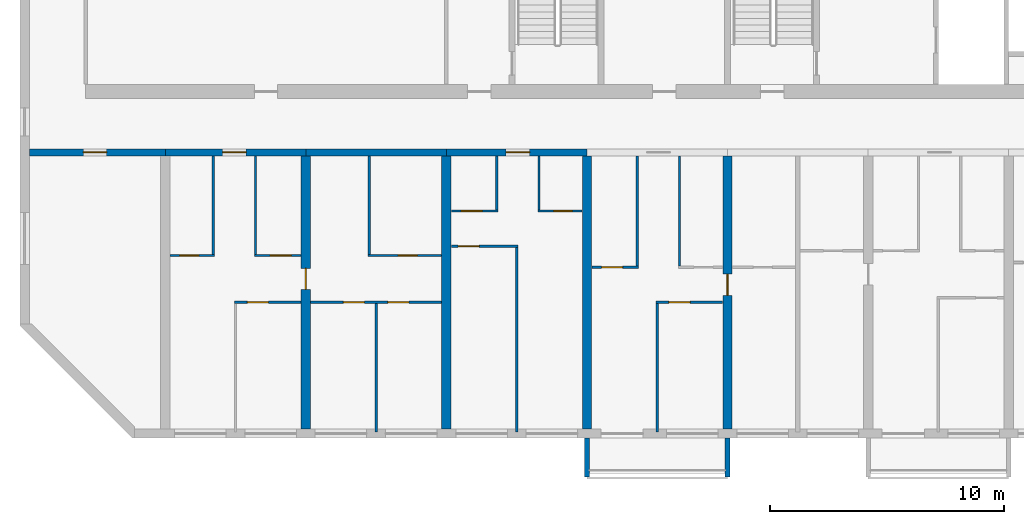
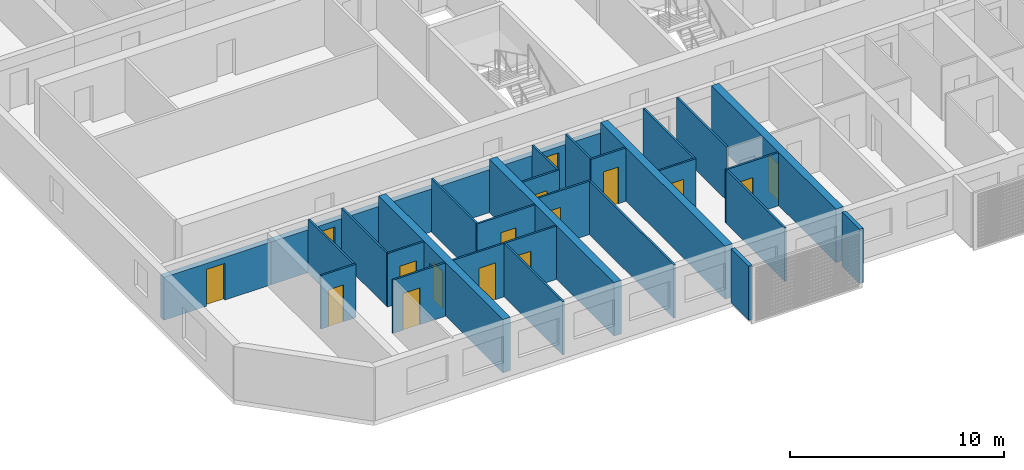
# One storey, part 3 of 44: 30 walls, 16 doors, 16 openings.
"""IFC4 building model written with IfcOpenShell, lengths in metres."""

from ifc_helpers import new_model, si_unit, direction, frame, frame_2d, origin, place, context, subcontext, project, spatial, polyline, rectangle, outline, extrude, source, transform, mapped, material, layer, layer_set, type_object, element, fill, save


model = new_model("IFC4")

# Units and contexts
model_context = context("Model", 3, precision=1e-05, world=origin(), true_north=direction((0.0, 1.0)))
body_context = subcontext(model_context, "Body", "Model", "MODEL_VIEW")
ifc_project = project(units=[si_unit("LENGTHUNIT", "METRE"), si_unit("AREAUNIT", "SQUARE_METRE"), si_unit("VOLUMEUNIT", "CUBIC_METRE"), si_unit("PLANEANGLEUNIT", "RADIAN"), si_unit("MASSUNIT", "GRAM", prefix="KILO")], contexts=[model_context])

# Site, building, storey
site_placement = place(None, origin())
site = spatial("IfcSite", under=ifc_project, at=site_placement, CompositionType="ELEMENT")
building_placement = place(site_placement, origin())
building = spatial("IfcBuilding", under=site, at=building_placement, Name="Poui Terraces", CompositionType="ELEMENT")
storey_placement = place(building_placement, frame((0.0, 0.0, 26.699951171875)))
storey = spatial("IfcBuildingStorey", under=building, at=storey_placement, Name="L06", CompositionType="ELEMENT", Elevation=26.699951171875)

# Wall, opening, door
ifc_material_1 = material(Name="Concrete 80 MPa", Category="concrete")
ifc_layer_1 = layer(ifc_material_1, 0.300048828125)
ifc_layer_set_1 = layer_set([ifc_layer_1], Name="Concrete 80 MPa")
wall_type_1 = type_object("IfcWallType", Name="CORRIDOR WALL 300 80MPa", PredefinedType="SHEAR", material=ifc_layer_set_1)
wall_1_placement = place(storey_placement, frame((0.199951171875, 12.0, 0.0), z_axis=(0.0, 0.0, 1.0), x_axis=(1.0, 0.0, 0.0)))
wall_1 = element("IfcWall", 1, at=wall_1_placement, inside=storey, type_object=wall_type_1, Name="CORRIDOR WALL LINE B BAY 1", PredefinedType="SHEAR", context=body_context, shape_type="SweptSolid", body=[
    extrude(rectangle(XDim=5.800048828125, YDim=0.300048828125, at=frame_2d((2.89990234375, 0.0))), origin(), (0.0, 0.0, 1.0), 2.449951171875),
])
opening_1_placement = place(wall_1_placement, frame((2.300048828125, 0.0, 0.0)))
opening_1 = element("IfcOpeningElement", 2, at=opening_1_placement, cuts=wall_1, Name="Opening D100", PredefinedType="OPENING", context=body_context, shape_type="SweptSolid", body=[
    extrude(rectangle(XDim=1.0, YDim=2.10009765625, at=frame_2d((0.5, 1.050048828125))), frame((0.0, 0.16015625, 0.0), z_axis=(0.0, -1.0, 0.0), x_axis=(1.0, 0.0, 0.0)), (0.0, 0.0, 1.0), 0.320068359375),
])
ifc_material_2 = material(Name="Solid core timber door", Category="wood")
door_type_1 = type_object("IfcDoorType", Name="ACCESSIBLE INTERNAL DOOR 1000 X 2100", OperationType="NOTDEFINED", PredefinedType="DOOR", material=ifc_material_2)
door_1_placement = place(opening_1_placement, frame((1.0, 0.0, 0.0), z_axis=(0.0, 0.0, 1.0), x_axis=(-1.0, 0.0, 0.0)))
door_1 = element("IfcDoor", 3, at=door_1_placement, inside=storey, type_object=door_type_1, Name="ACCESSIBLE INTERNAL DOOR 091", OperationType="SINGLE_SWING_RIGHT", OverallHeight=2.10009765625, OverallWidth=1.0, PredefinedType="DOOR", context=body_context, shape_type="SweptSolid", body=[
    extrude(rectangle(XDim=1.0, YDim=2.10009765625, at=frame_2d((0.5, 1.050048828125))), frame((0.0, 0.02490234375, 0.0), z_axis=(0.0, -1.0, 0.0), x_axis=(1.0, 0.0, 0.0)), (0.0, 0.0, 1.0), 0.050048828125),
])
fill(opening_1, door_1)

wall_2_placement = place(storey_placement, frame((6.0, 12.0, 0.0), z_axis=(0.0, 0.0, 1.0), x_axis=(1.0, 0.0, 0.0)))
wall_2 = element("IfcWall", 4, at=wall_2_placement, inside=storey, type_object=wall_type_1, Name="CORRIDOR WALL LINE B BAY 2", PredefinedType="SHEAR", context=body_context, shape_type="SweptSolid", body=[
    extrude(rectangle(XDim=6.0, YDim=0.300048828125, at=frame_2d((3.0, 0.0))), origin(), (0.0, 0.0, 1.0), 2.449951171875),
])
opening_2_placement = place(wall_2_placement, frame((2.449951171875, 0.0, 0.0)))
opening_2 = element("IfcOpeningElement", 5, at=opening_2_placement, cuts=wall_2, Name="Opening FD30S", PredefinedType="OPENING", context=body_context, shape_type="SweptSolid", body=[
    extrude(rectangle(XDim=1.0, YDim=2.10009765625, at=frame_2d((0.5, 1.050048828125))), frame((0.0, 0.16015625, 0.0), z_axis=(0.0, -1.0, 0.0), x_axis=(1.0, 0.0, 0.0)), (0.0, 0.0, 1.0), 0.320068359375),
])
ifc_material_3 = material(Name="Steel fire door", Category="steel")
door_type_2 = type_object("IfcDoorType", Name="FLAT ENTRANCE DOOR 1000 X 2100", OperationType="NOTDEFINED", PredefinedType="DOOR", material=ifc_material_3)
door_2_placement = place(opening_2_placement, frame((1.0, 0.0, 0.0), z_axis=(0.0, 0.0, 1.0), x_axis=(-1.0, 0.0, 0.0)))
door_2 = element("IfcDoor", 6, at=door_2_placement, inside=storey, type_object=door_type_2, Name="FLAT ENTRANCE DOOR 096", OperationType="SINGLE_SWING_RIGHT", OverallHeight=2.10009765625, OverallWidth=1.0, PredefinedType="DOOR", context=body_context, shape_type="SweptSolid", body=[
    extrude(rectangle(XDim=1.0, YDim=2.10009765625, at=frame_2d((0.5, 1.050048828125))), frame((0.0, 0.02490234375, 0.0), z_axis=(0.0, -1.0, 0.0), x_axis=(1.0, 0.0, 0.0)), (0.0, 0.0, 1.0), 0.050048828125),
])
fill(opening_2, door_2)

# Wall
wall_3_placement = place(storey_placement, frame((12.0, 12.0, 0.0), z_axis=(0.0, 0.0, 1.0), x_axis=(1.0, 0.0, 0.0)))
element("IfcWall", 7, at=wall_3_placement, inside=storey, type_object=wall_type_1, Name="CORRIDOR WALL LINE B BAY 3", PredefinedType="SHEAR", context=body_context, shape_type="SweptSolid", body=[
    extrude(rectangle(XDim=6.0, YDim=0.300048828125, at=frame_2d((3.0, 0.0))), origin(), (0.0, 0.0, 1.0), 2.449951171875),
])

# Wall, opening, door
wall_4_placement = place(storey_placement, frame((18.0, 12.0, 0.0), z_axis=(0.0, 0.0, 1.0), x_axis=(1.0, 0.0, 0.0)))
wall_4 = element("IfcWall", 8, at=wall_4_placement, inside=storey, type_object=wall_type_1, Name="CORRIDOR WALL LINE B BAY 4", PredefinedType="SHEAR", context=body_context, shape_type="SweptSolid", body=[
    extrude(rectangle(XDim=6.0, YDim=0.300048828125, at=frame_2d((3.0, 0.0))), origin(), (0.0, 0.0, 1.0), 2.449951171875),
])
opening_3_placement = place(wall_4_placement, frame((2.550048828125, 0.0, 0.0)))
opening_3 = element("IfcOpeningElement", 9, at=opening_3_placement, cuts=wall_4, Name="Opening FD30S", PredefinedType="OPENING", context=body_context, shape_type="SweptSolid", body=[
    extrude(rectangle(XDim=1.0, YDim=2.10009765625, at=frame_2d((0.5, 1.050048828125))), frame((0.0, 0.16015625, 0.0), z_axis=(0.0, -1.0, 0.0), x_axis=(1.0, 0.0, 0.0)), (0.0, 0.0, 1.0), 0.320068359375),
])
door_3_placement = place(opening_3_placement, frame((1.0, 0.0, 0.0), z_axis=(0.0, 0.0, 1.0), x_axis=(-1.0, 0.0, 0.0)))
door_3 = element("IfcDoor", 10, at=door_3_placement, inside=storey, type_object=door_type_2, Name="FLAT ENTRANCE DOOR 102", OperationType="SINGLE_SWING_LEFT", OverallHeight=2.10009765625, OverallWidth=1.0, PredefinedType="DOOR", context=body_context, shape_type="SweptSolid", body=[
    extrude(rectangle(XDim=1.0, YDim=2.10009765625, at=frame_2d((0.5, 1.050048828125))), frame((0.0, 0.02490234375, 0.0), z_axis=(0.0, -1.0, 0.0), x_axis=(1.0, 0.0, 0.0)), (0.0, 0.0, 1.0), 0.050048828125),
])
fill(opening_3, door_3)

ifc_layer_2 = layer(ifc_material_1, 0.39990234375)
ifc_layer_set_2 = layer_set([ifc_layer_2], Name="Concrete 80 MPa")
wall_type_2 = type_object("IfcWallType", Name="CROSS WALL 400 80MPa", PredefinedType="SHEAR", material=ifc_layer_set_2)
wall_5_placement = place(storey_placement, frame((12.0, 0.199951171875, 0.0), z_axis=(0.0, 0.0, 1.0), x_axis=(0.0, 1.0, 0.0)))
wall_5 = element("IfcWall", 11, at=wall_5_placement, inside=storey, type_object=wall_type_2, Name="CROSS WALL LINE 3 SOUTH", PredefinedType="SHEAR", context=body_context, shape_type="SweptSolid", body=[
    extrude(rectangle(XDim=11.650146484375, YDim=0.39990234375, at=frame_2d((5.8251953125, 0.0))), origin(), (0.0, 0.0, 1.0), 3.050048828125),
])
opening_4_placement = place(wall_5_placement, frame((5.949951171875, 0.0, 0.0)))
opening_4 = element("IfcOpeningElement", 12, at=opening_4_placement, cuts=wall_5, Name="Opening D90", PredefinedType="OPENING", context=body_context, shape_type="SweptSolid", body=[
    extrude(rectangle(XDim=0.89990234375, YDim=2.10009765625, at=frame_2d((0.449951171875, 1.050048828125))), frame((0.0, 0.2099609375, 0.0), z_axis=(0.0, -1.0, 0.0), x_axis=(1.0, 0.0, 0.0)), (0.0, 0.0, 1.0), 0.419921875),
])
door_type_3 = type_object("IfcDoorType", Name="INTERNAL DOOR 900 X 2100", OperationType="NOTDEFINED", PredefinedType="DOOR", material=ifc_material_2)
door_4_placement = place(opening_4_placement, origin())
door_4 = element("IfcDoor", 13, at=door_4_placement, inside=storey, type_object=door_type_3, Name="INTERNAL DOOR 099", OperationType="SINGLE_SWING_RIGHT", OverallHeight=2.10009765625, OverallWidth=0.89990234375, PredefinedType="DOOR", context=body_context, shape_type="SweptSolid", body=[
    extrude(rectangle(XDim=0.89990234375, YDim=2.10009765625, at=frame_2d((0.449951171875, 1.050048828125))), frame((0.0, 0.02490234375, 0.0), z_axis=(0.0, -1.0, 0.0), x_axis=(1.0, 0.0, 0.0)), (0.0, 0.0, 1.0), 0.050048828125),
])
fill(opening_4, door_4)

# Walls
for number, where, z_axis, x_axis, name in (
    (14, (18.0, 0.199951171875, 0.0), (0.0, 0.0, 1.0), (0.0, 1.0, 0.0), "CROSS WALL LINE 4 SOUTH"),
    (15, (24.0, 0.199951171875, 0.0), (0.0, 0.0, 1.0), (0.0, 1.0, 0.0), "CROSS WALL LINE 5 SOUTH"),
):
    element("IfcWall", number, at=place(storey_placement, frame(where, z_axis=z_axis, x_axis=x_axis)), inside=storey, type_object=wall_type_2, Name=name, PredefinedType="SHEAR", context=body_context, shape_type="SweptSolid", body=[
        extrude(rectangle(XDim=11.650146484375, YDim=0.39990234375, at=frame_2d((5.8251953125, 0.0))), origin(), (0.0, 0.0, 1.0), 3.050048828125),
    ])

# Wall, opening, door
wall_6_placement = place(storey_placement, frame((30.0, 0.199951171875, 0.0), z_axis=(0.0, 0.0, 1.0), x_axis=(0.0, 1.0, 0.0)))
wall_6 = element("IfcWall", 16, at=wall_6_placement, inside=storey, type_object=wall_type_2, Name="CROSS WALL LINE 6 SOUTH", PredefinedType="SHEAR", context=body_context, shape_type="SweptSolid", body=[
    extrude(rectangle(XDim=11.650146484375, YDim=0.39990234375, at=frame_2d((5.8251953125, 0.0))), origin(), (0.0, 0.0, 1.0), 3.050048828125),
])
opening_5_placement = place(wall_6_placement, frame((5.699951171875, 0.0, 0.0)))
opening_5 = element("IfcOpeningElement", 17, at=opening_5_placement, cuts=wall_6, Name="Opening D90", PredefinedType="OPENING", context=body_context, shape_type="SweptSolid", body=[
    extrude(rectangle(XDim=0.89990234375, YDim=2.10009765625, at=frame_2d((0.449951171875, 1.050048828125))), frame((0.0, 0.2099609375, 0.0), z_axis=(0.0, -1.0, 0.0), x_axis=(1.0, 0.0, 0.0)), (0.0, 0.0, 1.0), 0.419921875),
])
door_5_placement = place(opening_5_placement, frame((0.89990234375, 0.0, 0.0), z_axis=(0.0, 0.0, 1.0), x_axis=(-1.0, 0.0, 0.0)))
door_5 = element("IfcDoor", 18, at=door_5_placement, inside=storey, type_object=door_type_3, Name="INTERNAL DOOR 109", OperationType="SINGLE_SWING_LEFT", OverallHeight=2.10009765625, OverallWidth=0.89990234375, PredefinedType="DOOR", context=body_context, shape_type="SweptSolid", body=[
    extrude(rectangle(XDim=0.89990234375, YDim=2.10009765625, at=frame_2d((0.449951171875, 1.050048828125))), frame((0.0, 0.02490234375, 0.0), z_axis=(0.0, -1.0, 0.0), x_axis=(1.0, 0.0, 0.0)), (0.0, 0.0, 1.0), 0.050048828125),
])
fill(opening_5, door_5)

ifc_material_4 = material(Name="Plasterboard partition")
ifc_layer_3 = layer(ifc_material_4, 0.10009765625)
ifc_layer_set_3 = layer_set([ifc_layer_3], Name="Plasterboard partition")
wall_type_3 = type_object("IfcWallType", Name="FLAT PARTITION 100", PredefinedType="PARTITIONING", material=ifc_layer_set_3)
wall_7_placement = place(storey_placement, frame((8.949951171875, 5.60009765625, 0.0), z_axis=(0.0, 0.0, 1.0), x_axis=(1.0, 0.0, 0.0)))
wall_7 = element("IfcWall", 19, at=wall_7_placement, inside=storey, type_object=wall_type_3, Name="FLAT PARTITION 100", PredefinedType="PARTITIONING", context=body_context, shape_type="SweptSolid", body=[
    extrude(rectangle(XDim=2.840087890625, YDim=0.10009765625, at=frame_2d((1.419921875, 0.0))), origin(), (0.0, 0.0, 1.0), 3.050048828125),
])
opening_6_placement = place(wall_7_placement, frame((0.550048828125, 0.0, 0.0)))
opening_6 = element("IfcOpeningElement", 20, at=opening_6_placement, cuts=wall_7, Name="Opening D90", PredefinedType="OPENING", context=body_context, shape_type="SweptSolid", body=[
    extrude(rectangle(XDim=0.89990234375, YDim=2.10009765625, at=frame_2d((0.449951171875, 1.050048828125))), frame((0.0, 0.06005859375, 0.0), z_axis=(0.0, -1.0, 0.0), x_axis=(1.0, 0.0, 0.0)), (0.0, 0.0, 1.0), 0.1201171875),
])
door_6_placement = place(opening_6_placement, origin())
door_6 = element("IfcDoor", 21, at=door_6_placement, inside=storey, type_object=door_type_3, Name="INTERNAL DOOR 097", OperationType="SINGLE_SWING_RIGHT", OverallHeight=2.10009765625, OverallWidth=0.89990234375, PredefinedType="DOOR", context=body_context, shape_type="SweptSolid", body=[
    extrude(rectangle(XDim=0.89990234375, YDim=2.10009765625, at=frame_2d((0.449951171875, 1.050048828125))), frame((0.0, 0.02490234375, 0.0), z_axis=(0.0, -1.0, 0.0), x_axis=(1.0, 0.0, 0.0)), (0.0, 0.0, 1.0), 0.050048828125),
])
fill(opening_6, door_6)

# Wall, openings, doors
wall_8_placement = place(storey_placement, frame((12.2099609375, 5.60009765625, 0.0), z_axis=(0.0, 0.0, 1.0), x_axis=(1.0, 0.0, 0.0)))
wall_8 = element("IfcWall", 22, at=wall_8_placement, inside=storey, type_object=wall_type_3, Name="FLAT PARTITION 100", PredefinedType="PARTITIONING", context=body_context, shape_type="SweptSolid", body=[
    extrude(rectangle(XDim=5.580078125, YDim=0.10009765625, at=frame_2d((2.7900390625, 0.0))), origin(), (0.0, 0.0, 1.0), 3.050048828125),
])
opening_7_placement = place(wall_8_placement, frame((1.389892578125, 0.0, 0.0)))
opening_7 = element("IfcOpeningElement", 23, at=opening_7_placement, cuts=wall_8, Name="Opening D90", PredefinedType="OPENING", context=body_context, shape_type="SweptSolid", body=[
    extrude(rectangle(XDim=0.89990234375, YDim=2.10009765625, at=frame_2d((0.449951171875, 1.050048828125))), frame((0.0, 0.06005859375, 0.0), z_axis=(0.0, -1.0, 0.0), x_axis=(1.0, 0.0, 0.0)), (0.0, 0.0, 1.0), 0.1201171875),
])
opening_8_placement = place(wall_8_placement, frame((3.2900390625, 0.0, 0.0)))
opening_8 = element("IfcOpeningElement", 24, at=opening_8_placement, cuts=wall_8, Name="Opening D90", PredefinedType="OPENING", context=body_context, shape_type="SweptSolid", body=[
    extrude(rectangle(XDim=0.89990234375, YDim=2.10009765625, at=frame_2d((0.449951171875, 1.050048828125))), frame((0.0, 0.06005859375, 0.0), z_axis=(0.0, -1.0, 0.0), x_axis=(1.0, 0.0, 0.0)), (0.0, 0.0, 1.0), 0.1201171875),
])
door_7_placement = place(opening_7_placement, frame((0.89990234375, 0.0, 0.0), z_axis=(0.0, 0.0, 1.0), x_axis=(-1.0, 0.0, 0.0)))
door_7 = element("IfcDoor", 25, at=door_7_placement, inside=storey, type_object=door_type_3, Name="INTERNAL DOOR 092", OperationType="SINGLE_SWING_LEFT", OverallHeight=2.10009765625, OverallWidth=0.89990234375, PredefinedType="DOOR", context=body_context, shape_type="SweptSolid", body=[
    extrude(rectangle(XDim=0.89990234375, YDim=2.10009765625, at=frame_2d((0.449951171875, 1.050048828125))), frame((0.0, 0.02490234375, 0.0), z_axis=(0.0, -1.0, 0.0), x_axis=(1.0, 0.0, 0.0)), (0.0, 0.0, 1.0), 0.050048828125),
])
fill(opening_7, door_7)
door_8_placement = place(opening_8_placement, frame((0.89990234375, 0.0, 0.0), z_axis=(0.0, 0.0, 1.0), x_axis=(-1.0, 0.0, 0.0)))
door_8 = element("IfcDoor", 26, at=door_8_placement, inside=storey, type_object=door_type_3, Name="INTERNAL DOOR 093", OperationType="SINGLE_SWING_RIGHT", OverallHeight=2.10009765625, OverallWidth=0.89990234375, PredefinedType="DOOR", context=body_context, shape_type="SweptSolid", body=[
    extrude(rectangle(XDim=0.89990234375, YDim=2.10009765625, at=frame_2d((0.449951171875, 1.050048828125))), frame((0.0, 0.02490234375, 0.0), z_axis=(0.0, -1.0, 0.0), x_axis=(1.0, 0.0, 0.0)), (0.0, 0.0, 1.0), 0.050048828125),
])
fill(opening_8, door_8)

# Wall, opening, door
wall_9_placement = place(storey_placement, frame((26.949951171875, 5.60009765625, 0.0), z_axis=(0.0, 0.0, 1.0), x_axis=(1.0, 0.0, 0.0)))
wall_9 = element("IfcWall", 27, at=wall_9_placement, inside=storey, type_object=wall_type_3, Name="FLAT PARTITION 100", PredefinedType="PARTITIONING", context=body_context, shape_type="SweptSolid", body=[
    extrude(rectangle(XDim=2.840087890625, YDim=0.10009765625, at=frame_2d((1.419921875, 0.0))), origin(), (0.0, 0.0, 1.0), 3.050048828125),
])
opening_9_placement = place(wall_9_placement, frame((0.550048828125, 0.0, 0.0)))
opening_9 = element("IfcOpeningElement", 28, at=opening_9_placement, cuts=wall_9, Name="Opening D90", PredefinedType="OPENING", context=body_context, shape_type="SweptSolid", body=[
    extrude(rectangle(XDim=0.89990234375, YDim=2.10009765625, at=frame_2d((0.449951171875, 1.050048828125))), frame((0.0, 0.06005859375, 0.0), z_axis=(0.0, -1.0, 0.0), x_axis=(1.0, 0.0, 0.0)), (0.0, 0.0, 1.0), 0.1201171875),
])
door_9_placement = place(opening_9_placement, origin())
door_9 = element("IfcDoor", 29, at=door_9_placement, inside=storey, type_object=door_type_3, Name="INTERNAL DOOR 107", OperationType="SINGLE_SWING_RIGHT", OverallHeight=2.10009765625, OverallWidth=0.89990234375, PredefinedType="DOOR", context=body_context, shape_type="SweptSolid", body=[
    extrude(rectangle(XDim=0.89990234375, YDim=2.10009765625, at=frame_2d((0.449951171875, 1.050048828125))), frame((0.0, 0.02490234375, 0.0), z_axis=(0.0, -1.0, 0.0), x_axis=(1.0, 0.0, 0.0)), (0.0, 0.0, 1.0), 0.050048828125),
])
fill(opening_9, door_9)

wall_10_placement = place(storey_placement, frame((24.2099609375, 7.10009765625, 0.0), z_axis=(0.0, 0.0, 1.0), x_axis=(1.0, 0.0, 0.0)))
wall_10 = element("IfcWall", 30, at=wall_10_placement, inside=storey, type_object=wall_type_3, Name="FLAT PARTITION 100", PredefinedType="PARTITIONING", context=body_context, shape_type="SweptSolid", body=[
    extrude(rectangle(XDim=1.989990234375, YDim=0.10009765625, at=frame_2d((0.9951171875, 0.0))), origin(), (0.0, 0.0, 1.0), 3.050048828125),
])
opening_10_placement = place(wall_10_placement, frame((0.4150390625, 0.0, 0.0)))
opening_10 = element("IfcOpeningElement", 31, at=opening_10_placement, cuts=wall_10, Name="Opening D90", PredefinedType="OPENING", context=body_context, shape_type="SweptSolid", body=[
    extrude(rectangle(XDim=0.89990234375, YDim=2.10009765625, at=frame_2d((0.449951171875, 1.050048828125))), frame((0.0, 0.06005859375, 0.0), z_axis=(0.0, -1.0, 0.0), x_axis=(1.0, 0.0, 0.0)), (0.0, 0.0, 1.0), 0.1201171875),
])
door_10_placement = place(opening_10_placement, origin())
door_10 = element("IfcDoor", 32, at=door_10_placement, inside=storey, type_object=door_type_3, Name="INTERNAL DOOR 105", OperationType="SINGLE_SWING_RIGHT", OverallHeight=2.10009765625, OverallWidth=0.89990234375, PredefinedType="DOOR", context=body_context, shape_type="SweptSolid", body=[
    extrude(rectangle(XDim=0.89990234375, YDim=2.10009765625, at=frame_2d((0.449951171875, 1.050048828125))), frame((0.0, 0.02490234375, 0.0), z_axis=(0.0, -1.0, 0.0), x_axis=(1.0, 0.0, 0.0)), (0.0, 0.0, 1.0), 0.050048828125),
])
fill(opening_10, door_10)

wall_11_placement = place(storey_placement, frame((6.2099609375, 7.60009765625, 0.0), z_axis=(0.0, 0.0, 1.0), x_axis=(1.0, 0.0, 0.0)))
wall_11 = element("IfcWall", 33, at=wall_11_placement, inside=storey, type_object=wall_type_3, Name="FLAT PARTITION 100", PredefinedType="PARTITIONING", context=body_context, shape_type="SweptSolid", body=[
    extrude(rectangle(XDim=1.89013671875, YDim=0.10009765625, at=frame_2d((0.945068359375, 0.0))), origin(), (0.0, 0.0, 1.0), 3.050048828125),
])
opening_11_placement = place(wall_11_placement, frame((0.4150390625, 0.0, 0.0)))
opening_11 = element("IfcOpeningElement", 34, at=opening_11_placement, cuts=wall_11, Name="Opening D80", PredefinedType="OPENING", context=body_context, shape_type="SweptSolid", body=[
    extrude(rectangle(XDim=0.800048828125, YDim=2.10009765625, at=frame_2d((0.39990234375, 1.050048828125))), frame((0.0, 0.06005859375, 0.0), z_axis=(0.0, -1.0, 0.0), x_axis=(1.0, 0.0, 0.0)), (0.0, 0.0, 1.0), 0.1201171875),
])
door_type_4 = type_object("IfcDoorType", Name="BATHROOM, LAUNDRY AND STORE DOOR 800 X 2100", OperationType="NOTDEFINED", PredefinedType="DOOR", material=ifc_material_2)
door_11_placement = place(opening_11_placement, origin())
door_11 = element("IfcDoor", 35, at=door_11_placement, inside=storey, type_object=door_type_4, Name="BATHROOM, LAUNDRY AND STORE DOOR 095", OperationType="SINGLE_SWING_RIGHT", OverallHeight=2.10009765625, OverallWidth=0.800048828125, PredefinedType="DOOR", context=body_context, shape_type="SweptSolid", body=[
    extrude(rectangle(XDim=0.800048828125, YDim=2.10009765625, at=frame_2d((0.39990234375, 1.050048828125))), frame((0.0, 0.02490234375, 0.0), z_axis=(0.0, -1.0, 0.0), x_axis=(1.0, 0.0, 0.0)), (0.0, 0.0, 1.0), 0.050048828125),
])
fill(opening_11, door_11)

wall_12_placement = place(storey_placement, frame((9.800048828125, 7.60009765625, 0.0), z_axis=(0.0, 0.0, 1.0), x_axis=(1.0, 0.0, 0.0)))
wall_12 = element("IfcWall", 36, at=wall_12_placement, inside=storey, type_object=wall_type_3, Name="FLAT PARTITION 100", PredefinedType="PARTITIONING", context=body_context, shape_type="SweptSolid", body=[
    extrude(rectangle(XDim=1.989990234375, YDim=0.10009765625, at=frame_2d((0.9951171875, 0.0))), origin(), (0.0, 0.0, 1.0), 3.050048828125),
])
opening_12_placement = place(wall_12_placement, frame((0.675048828125, 0.0, 0.0)))
opening_12 = element("IfcOpeningElement", 37, at=opening_12_placement, cuts=wall_12, Name="Opening D90", PredefinedType="OPENING", context=body_context, shape_type="SweptSolid", body=[
    extrude(rectangle(XDim=0.89990234375, YDim=2.10009765625, at=frame_2d((0.449951171875, 1.050048828125))), frame((0.0, 0.06005859375, 0.0), z_axis=(0.0, -1.0, 0.0), x_axis=(1.0, 0.0, 0.0)), (0.0, 0.0, 1.0), 0.1201171875),
])
door_12_placement = place(opening_12_placement, origin())
door_12 = element("IfcDoor", 38, at=door_12_placement, inside=storey, type_object=door_type_3, Name="INTERNAL DOOR 098", OperationType="SINGLE_SWING_LEFT", OverallHeight=2.10009765625, OverallWidth=0.89990234375, PredefinedType="DOOR", context=body_context, shape_type="SweptSolid", body=[
    extrude(rectangle(XDim=0.89990234375, YDim=2.10009765625, at=frame_2d((0.449951171875, 1.050048828125))), frame((0.0, 0.02490234375, 0.0), z_axis=(0.0, -1.0, 0.0), x_axis=(1.0, 0.0, 0.0)), (0.0, 0.0, 1.0), 0.050048828125),
])
fill(opening_12, door_12)

wall_13_placement = place(storey_placement, frame((14.64990234375, 7.60009765625, 0.0), z_axis=(0.0, 0.0, 1.0), x_axis=(1.0, 0.0, 0.0)))
wall_13 = element("IfcWall", 39, at=wall_13_placement, inside=storey, type_object=wall_type_3, Name="FLAT PARTITION 100", PredefinedType="PARTITIONING", context=body_context, shape_type="SweptSolid", body=[
    extrude(rectangle(XDim=3.14013671875, YDim=0.10009765625, at=frame_2d((1.570068359375, 0.0))), origin(), (0.0, 0.0, 1.0), 3.050048828125),
])
opening_13_placement = place(wall_13_placement, frame((1.300048828125, 0.0, 0.0)))
opening_13 = element("IfcOpeningElement", 40, at=opening_13_placement, cuts=wall_13, Name="Opening D80", PredefinedType="OPENING", context=body_context, shape_type="SweptSolid", body=[
    extrude(rectangle(XDim=0.800048828125, YDim=2.10009765625, at=frame_2d((0.39990234375, 1.050048828125))), frame((0.0, 0.06005859375, 0.0), z_axis=(0.0, -1.0, 0.0), x_axis=(1.0, 0.0, 0.0)), (0.0, 0.0, 1.0), 0.1201171875),
])
door_13_placement = place(opening_13_placement, frame((0.800048828125, 0.0, 0.0), z_axis=(0.0, 0.0, 1.0), x_axis=(-1.0, 0.0, 0.0)))
door_13 = element("IfcDoor", 41, at=door_13_placement, inside=storey, type_object=door_type_4, Name="BATHROOM, LAUNDRY AND STORE DOOR 094", OperationType="SINGLE_SWING_RIGHT", OverallHeight=2.10009765625, OverallWidth=0.800048828125, PredefinedType="DOOR", context=body_context, shape_type="SweptSolid", body=[
    extrude(rectangle(XDim=0.800048828125, YDim=2.10009765625, at=frame_2d((0.39990234375, 1.050048828125))), frame((0.0, 0.02490234375, 0.0), z_axis=(0.0, -1.0, 0.0), x_axis=(1.0, 0.0, 0.0)), (0.0, 0.0, 1.0), 0.050048828125),
])
fill(opening_13, door_13)

wall_14_placement = place(storey_placement, frame((18.2099609375, 8.0, 0.0), z_axis=(0.0, 0.0, 1.0), x_axis=(1.0, 0.0, 0.0)))
wall_14 = element("IfcWall", 42, at=wall_14_placement, inside=storey, type_object=wall_type_3, Name="FLAT PARTITION 100", PredefinedType="PARTITIONING", context=body_context, shape_type="SweptSolid", body=[
    extrude(rectangle(XDim=2.840087890625, YDim=0.10009765625, at=frame_2d((1.419921875, 0.0))), origin(), (0.0, 0.0, 1.0), 3.050048828125),
])
opening_14_placement = place(wall_14_placement, frame((0.2900390625, 0.0, 0.0)))
opening_14 = element("IfcOpeningElement", 43, at=opening_14_placement, cuts=wall_14, Name="Opening D90", PredefinedType="OPENING", context=body_context, shape_type="SweptSolid", body=[
    extrude(rectangle(XDim=0.89990234375, YDim=2.10009765625, at=frame_2d((0.449951171875, 1.050048828125))), frame((0.0, 0.06005859375, 0.0), z_axis=(0.0, -1.0, 0.0), x_axis=(1.0, 0.0, 0.0)), (0.0, 0.0, 1.0), 0.1201171875),
])
door_14_placement = place(opening_14_placement, origin())
door_14 = element("IfcDoor", 44, at=door_14_placement, inside=storey, type_object=door_type_3, Name="INTERNAL DOOR 100", OperationType="SINGLE_SWING_RIGHT", OverallHeight=2.10009765625, OverallWidth=0.89990234375, PredefinedType="DOOR", context=body_context, shape_type="SweptSolid", body=[
    extrude(rectangle(XDim=0.89990234375, YDim=2.10009765625, at=frame_2d((0.449951171875, 1.050048828125))), frame((0.0, 0.02490234375, 0.0), z_axis=(0.0, -1.0, 0.0), x_axis=(1.0, 0.0, 0.0)), (0.0, 0.0, 1.0), 0.050048828125),
])
fill(opening_14, door_14)

wall_15_placement = place(storey_placement, frame((18.2099609375, 9.5, 0.0), z_axis=(0.0, 0.0, 1.0), x_axis=(1.0, 0.0, 0.0)))
wall_15 = element("IfcWall", 45, at=wall_15_placement, inside=storey, type_object=wall_type_3, Name="FLAT PARTITION 100", PredefinedType="PARTITIONING", context=body_context, shape_type="SweptSolid", body=[
    extrude(rectangle(XDim=1.989990234375, YDim=0.10009765625, at=frame_2d((0.9951171875, 0.0))), origin(), (0.0, 0.0, 1.0), 3.050048828125),
])
opening_15_placement = place(wall_15_placement, frame((0.4150390625, 0.0, 0.0)))
opening_15 = element("IfcOpeningElement", 46, at=opening_15_placement, cuts=wall_15, Name="Opening D90", PredefinedType="OPENING", context=body_context, shape_type="SweptSolid", body=[
    extrude(rectangle(XDim=0.89990234375, YDim=2.10009765625, at=frame_2d((0.449951171875, 1.050048828125))), frame((0.0, 0.06005859375, 0.0), z_axis=(0.0, -1.0, 0.0), x_axis=(1.0, 0.0, 0.0)), (0.0, 0.0, 1.0), 0.1201171875),
])
door_15_placement = place(opening_15_placement, origin())
door_15 = element("IfcDoor", 47, at=door_15_placement, inside=storey, type_object=door_type_3, Name="INTERNAL DOOR 101", OperationType="SINGLE_SWING_LEFT", OverallHeight=2.10009765625, OverallWidth=0.89990234375, PredefinedType="DOOR", context=body_context, shape_type="SweptSolid", body=[
    extrude(rectangle(XDim=0.89990234375, YDim=2.10009765625, at=frame_2d((0.449951171875, 1.050048828125))), frame((0.0, 0.02490234375, 0.0), z_axis=(0.0, -1.0, 0.0), x_axis=(1.0, 0.0, 0.0)), (0.0, 0.0, 1.0), 0.050048828125),
])
fill(opening_15, door_15)

wall_16_placement = place(storey_placement, frame((21.89990234375, 9.5, 0.0), z_axis=(0.0, 0.0, 1.0), x_axis=(1.0, 0.0, 0.0)))
wall_16 = element("IfcWall", 48, at=wall_16_placement, inside=storey, type_object=wall_type_3, Name="FLAT PARTITION 100", PredefinedType="PARTITIONING", context=body_context, shape_type="SweptSolid", body=[
    extrude(rectangle(XDim=1.89013671875, YDim=0.10009765625, at=frame_2d((0.945068359375, 0.0))), origin(), (0.0, 0.0, 1.0), 3.050048828125),
])
opening_16_placement = place(wall_16_placement, frame((0.675048828125, 0.0, 0.0)))
opening_16 = element("IfcOpeningElement", 49, at=opening_16_placement, cuts=wall_16, Name="Opening D80", PredefinedType="OPENING", context=body_context, shape_type="SweptSolid", body=[
    extrude(rectangle(XDim=0.800048828125, YDim=2.10009765625, at=frame_2d((0.39990234375, 1.050048828125))), frame((0.0, 0.06005859375, 0.0), z_axis=(0.0, -1.0, 0.0), x_axis=(1.0, 0.0, 0.0)), (0.0, 0.0, 1.0), 0.1201171875),
])
door_16_placement = place(opening_16_placement, origin())
door_16 = element("IfcDoor", 50, at=door_16_placement, inside=storey, type_object=door_type_4, Name="BATHROOM, LAUNDRY AND STORE DOOR 103", OperationType="SINGLE_SWING_RIGHT", OverallHeight=2.10009765625, OverallWidth=0.800048828125, PredefinedType="DOOR", context=body_context, shape_type="SweptSolid", body=[
    extrude(rectangle(XDim=0.800048828125, YDim=2.10009765625, at=frame_2d((0.39990234375, 1.050048828125))), frame((0.0, 0.02490234375, 0.0), z_axis=(0.0, -1.0, 0.0), x_axis=(1.0, 0.0, 0.0)), (0.0, 0.0, 1.0), 0.050048828125),
])
fill(opening_16, door_16)

# Walls
for number, where, z_axis, x_axis, name in (
    (51, (8.050048828125, 7.64990234375, 0.0), (0.0, 0.0, 1.0), (0.0, 1.0, 0.0), "FLAT PARTITION 100"),
    (52, (9.85009765625, 7.64990234375, 0.0), (0.0, 0.0, 1.0), (0.0, 1.0, 0.0), "FLAT PARTITION 100"),
    (53, (14.699951171875, 7.64990234375, 0.0), (0.0, 0.0, 1.0), (0.0, 1.0, 0.0), "FLAT PARTITION 100"),
):
    element("IfcWall", number, at=place(storey_placement, frame(where, z_axis=z_axis, x_axis=x_axis)), inside=storey, type_object=wall_type_3, Name=name, PredefinedType="PARTITIONING", context=body_context, shape_type="SweptSolid", body=[
        extrude(rectangle(XDim=4.190185546875, YDim=0.10009765625, at=frame_2d((2.09521484375, 0.0))), origin(), (0.0, 0.0, 1.0), 3.050048828125),
    ])
wall_17_placement = place(storey_placement, frame((15.0, 0.06005859375, 0.0), z_axis=(0.0, 0.0, 1.0), x_axis=(0.0, 1.0, 0.0)))
element("IfcWall", 54, at=wall_17_placement, inside=storey, type_object=wall_type_3, Name="FLAT PARTITION 100", PredefinedType="PARTITIONING", context=body_context, shape_type="SweptSolid", body=[
    extrude(rectangle(XDim=5.489990234375, YDim=0.10009765625, at=frame_2d((2.7451171875, 0.0))), origin(), (0.0, 0.0, 1.0), 3.050048828125),
])
wall_18_placement = place(storey_placement, frame((20.14990234375, 9.550048828125, 0.0), z_axis=(0.0, 0.0, 1.0), x_axis=(0.0, 1.0, 0.0)))
element("IfcWall", 55, at=wall_18_placement, inside=storey, type_object=wall_type_3, Name="FLAT PARTITION 100", PredefinedType="PARTITIONING", context=body_context, shape_type="SweptSolid", body=[
    extrude(rectangle(XDim=2.2900390625, YDim=0.10009765625, at=frame_2d((1.14501953125, 0.0))), origin(), (0.0, 0.0, 1.0), 3.050048828125),
])
wall_19_placement = place(storey_placement, frame((21.0, 0.06005859375, 0.0), z_axis=(0.0, 0.0, 1.0), x_axis=(0.0, 1.0, 0.0)))
element("IfcWall", 56, at=wall_19_placement, inside=storey, type_object=wall_type_3, Name="FLAT PARTITION 100", PredefinedType="PARTITIONING", context=body_context, shape_type="SweptSolid", body=[
    extrude(rectangle(XDim=7.889892578125, YDim=0.10009765625, at=frame_2d((3.94482421875, 0.0))), origin(), (0.0, 0.0, 1.0), 3.050048828125),
])
wall_20_placement = place(storey_placement, frame((21.949951171875, 9.550048828125, 0.0), z_axis=(0.0, 0.0, 1.0), x_axis=(0.0, 1.0, 0.0)))
element("IfcWall", 57, at=wall_20_placement, inside=storey, type_object=wall_type_3, Name="FLAT PARTITION 100", PredefinedType="PARTITIONING", context=body_context, shape_type="SweptSolid", body=[
    extrude(rectangle(XDim=2.2900390625, YDim=0.10009765625, at=frame_2d((1.14501953125, 0.0))), origin(), (0.0, 0.0, 1.0), 3.050048828125),
])
wall_21_placement = place(storey_placement, frame((26.14990234375, 7.14990234375, 0.0), z_axis=(0.0, 0.0, 1.0), x_axis=(0.0, 1.0, 0.0)))
element("IfcWall", 58, at=wall_21_placement, inside=storey, type_object=wall_type_3, Name="FLAT PARTITION 100", PredefinedType="PARTITIONING", context=body_context, shape_type="SweptSolid", body=[
    extrude(rectangle(XDim=4.690185546875, YDim=0.10009765625, at=frame_2d((2.34521484375, 0.0))), origin(), (0.0, 0.0, 1.0), 3.050048828125),
])
wall_22_placement = place(storey_placement, frame((27.0, 0.06005859375, 0.0), z_axis=(0.0, 0.0, 1.0), x_axis=(0.0, 1.0, 0.0)))
element("IfcWall", 59, at=wall_22_placement, inside=storey, type_object=wall_type_3, Name="FLAT PARTITION 100", PredefinedType="PARTITIONING", context=body_context, shape_type="SweptSolid", body=[
    extrude(rectangle(XDim=5.489990234375, YDim=0.10009765625, at=frame_2d((2.7451171875, 0.0))), origin(), (0.0, 0.0, 1.0), 3.050048828125),
])
wall_23_placement = place(storey_placement, frame((27.949951171875, 7.14990234375, 0.0), z_axis=(0.0, 0.0, 1.0), x_axis=(0.0, 1.0, 0.0)))
element("IfcWall", 60, at=wall_23_placement, inside=storey, type_object=wall_type_3, Name="FLAT PARTITION 100", PredefinedType="PARTITIONING", context=body_context, shape_type="SweptSolid", body=[
    extrude(rectangle(XDim=4.690185546875, YDim=0.10009765625, at=frame_2d((2.34521484375, 0.0))), origin(), (0.0, 0.0, 1.0), 3.050048828125),
])
ifc_material_5 = material(Name="Precast concrete 40 MPa", Category="concrete")
ifc_layer_4 = layer(ifc_material_5, 0.199951171875)
ifc_layer_set_4 = layer_set([ifc_layer_4], Name="Precast concrete 40 MPa")
wall_type_4 = type_object("IfcWallType", Name="REAR FIN 200", PredefinedType="STANDARD", material=ifc_layer_set_4)
shared_shape = source(origin(), body_context, "Body", "SweptSolid", [
    extrude(outline(polyline([(0.0, 0.0), (0.2001953125, 0.0), (0.2001953125, 1.650146484375), (0.0, 1.650146484375), (0.0, 0.0)])), origin(), (0.0, 0.0, 1.0), 3.10009765625),
])
for number, where, name in (
    (61, (23.89990234375, -1.85009765625, 0.0), "REAR FIN"),
    (62, (29.89990234375, -1.85009765625, 0.0), "REAR FIN"),
):
    element("IfcWall", number, at=place(storey_placement, frame(where)), inside=storey, type_object=wall_type_4, Name=name, PredefinedType="STANDARD", context=body_context, shape_type="MappedRepresentation", body=[
        mapped(shared_shape, transform((0.0, 0.0, 0.0))),
    ])

save(model, "model.ifc")
